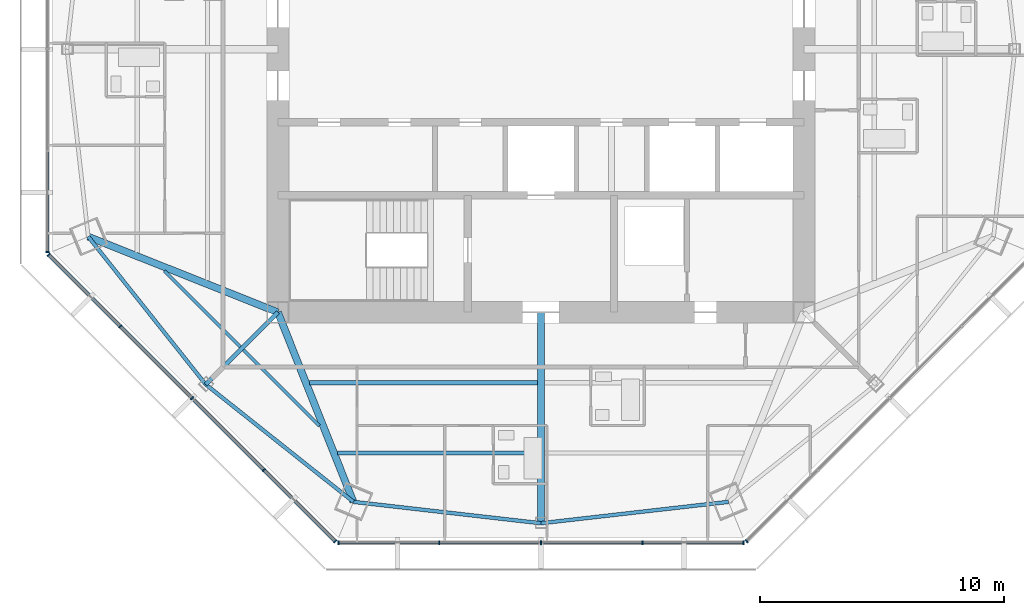
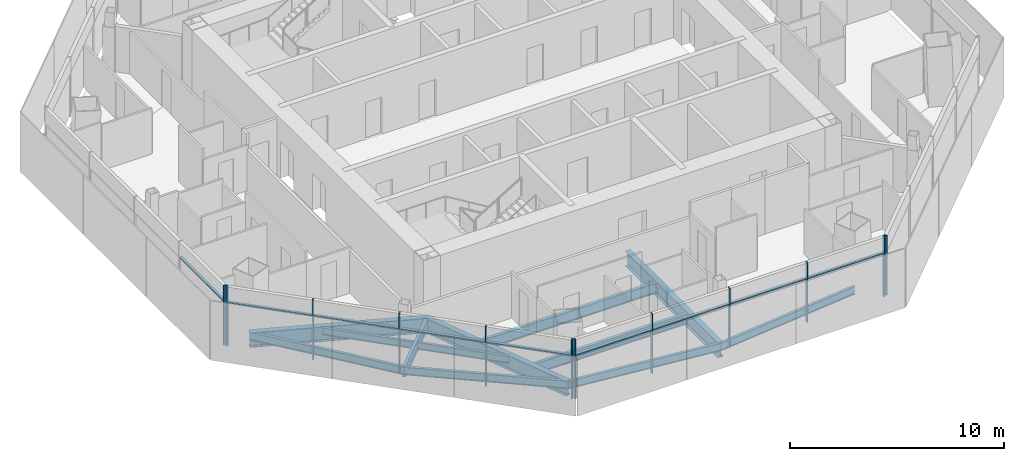
# One storey, part 2 of 15: 21 members, 12 beams, 4 elements without a shape of their own.
"""IFC4 building model written with IfcOpenShell, lengths in metres."""

from ifc_helpers import new_model, si_unit, direction, frame, origin, origin_2d, place, context, subcontext, project, spatial, rectangle, i_section, extrude, source, transform, mapped, material, material_profile, profile_set, type_object, type_shapes, element, aggregate, save


model = new_model("IFC4")

# Units and contexts
model_context = context("Model", 3, precision=1e-05, world=origin(), true_north=direction((0.0, 1.0)))
body_context = subcontext(model_context, "Body", "Model", "MODEL_VIEW")
ifc_project = project(units=[si_unit("LENGTHUNIT", "METRE"), si_unit("AREAUNIT", "SQUARE_METRE"), si_unit("VOLUMEUNIT", "CUBIC_METRE"), si_unit("PLANEANGLEUNIT", "RADIAN"), si_unit("MASSUNIT", "GRAM", prefix="KILO")], contexts=[model_context])

# Site, building, storey
site_placement = place(None, origin())
site = spatial("IfcSite", under=ifc_project, at=site_placement, CompositionType="ELEMENT")
building_placement = place(site_placement, origin())
building = spatial("IfcBuilding", under=site, at=building_placement, Name="Mashrafa Tower", CompositionType="ELEMENT")
storey_placement = place(building_placement, frame((0.0, 0.0, 274.199951171875)))
storey = spatial("IfcBuildingStorey", under=building, at=storey_placement, Name="L66", CompositionType="ELEMENT", Elevation=274.199951171875)

# Beams
ifc_material_1 = material(Name="Steel ASTM A992", Category="steel")
ifc_material_profile_1 = material_profile(ifc_material_1, i_section(OverallWidth=0.140380859375, OverallDepth=0.40380859375, WebThickness=0.007080078125, FlangeThickness=0.01123046875, FilletRadius=0.01025390625, at=origin_2d()), Name="W16X31")
ifc_profile_set_1 = profile_set([ifc_material_profile_1], Name="Steel ASTM A992")
beam_type_1 = type_object("IfcBeamType", Name="Beam W16X31", PredefinedType="BEAM", material=ifc_profile_set_1)
for number, where, z_axis, x_axis, name in (
    (1, (-12.344482421875, -12.218505859375, -0.40185546875), (-0.707079108482, 0.707134452808, 0.0), (-0.707134452808, -0.707079108482, 0.0), "Floor beam L66 006"),
    (2, (-9.09912109375, -15.463623046875, -0.40185546875), (-0.707134452808, 0.707079108482, 0.0), (-0.707079108482, -0.707134452808, 0.0), "Floor beam L66 009"),
):
    element("IfcBeam", number, at=place(storey_placement, frame(where, z_axis=z_axis, x_axis=x_axis)), inside=storey, type_object=beam_type_1, Name=name, PredefinedType="BEAM", context=body_context, shape_type="SweptSolid", body=[
        extrude(i_section(OverallWidth=0.140380859375, OverallDepth=0.40380859375, WebThickness=0.007080078125, FlangeThickness=0.01123046875, FilletRadius=0.01025390625, at=origin_2d()), origin(), (0.0, 0.0, 1.0), 4.411376953125),
    ])
ifc_material_2 = material(Name="Steel ASTM A992", Category="steel")
ifc_material_profile_2 = material_profile(ifc_material_2, i_section(OverallWidth=0.15234375, OverallDepth=0.449462890625, WebThickness=0.007568359375, FlangeThickness=0.0107421875, FilletRadius=0.01025390625, at=origin_2d()), Name="W18X35")
ifc_profile_set_2 = profile_set([ifc_material_profile_2], Name="Steel ASTM A992")
beam_type_2 = type_object("IfcBeamType", Name="Beam W18X35", PredefinedType="BEAM", material=ifc_profile_set_2)
for number, where, z_axis, x_axis, name in (
    (3, (-18.58544921875, -7.6982421875, -0.4248046875), (0.622390664241, -0.782706752919, 0.0), (0.782706752919, 0.622390664241, 0.0), "Spandrel beam L66 042"),
    (4, (-13.762939453125, -13.762939453125, -0.4248046875), (0.782706752919, -0.622390664241, 0.0), (0.622390664241, 0.782706752919, 0.0), "Spandrel beam L66 044"),
    (5, (-7.6982421875, -18.58544921875, -0.4248046875), (0.993556314914, -0.113339530152, 0.0), (0.113339530152, 0.993556314914, 0.0), "Spandrel beam L66 046"),
    (6, (0.0, -19.463623046875, -0.4248046875), (0.993556314914, 0.113339530152, 0.0), (-0.113339530152, 0.993556314914, 0.0), "Spandrel beam L66 048"),
):
    element("IfcBeam", number, at=place(storey_placement, frame(where, z_axis=z_axis, x_axis=x_axis)), inside=storey, type_object=beam_type_2, Name=name, PredefinedType="BEAM", context=body_context, shape_type="SweptSolid", body=[
        extrude(i_section(OverallWidth=0.15234375, OverallDepth=0.449462890625, WebThickness=0.007568359375, FlangeThickness=0.0107421875, FilletRadius=0.01025390625, at=origin_2d()), origin(), (0.0, 0.0, 1.0), 7.748291015625),
    ])
ifc_material_3 = material(Name="Steel ASTM A992", Category="steel")
ifc_material_profile_3 = material_profile(ifc_material_3, i_section(OverallWidth=0.177978515625, OverallDepth=0.599365234375, WebThickness=0.010009765625, FlangeThickness=0.012939453125, FilletRadius=0.012939453125, at=origin_2d()), Name="W24X55")
ifc_profile_set_3 = profile_set([ifc_material_profile_3], Name="Steel ASTM A992")
beam_type_3 = type_object("IfcBeamType", Name="Beam W24X55", PredefinedType="BEAM", material=ifc_profile_set_3)
beam_1_placement = place(storey_placement, frame((-0.14599609375, -16.57568359375, -0.499755859375), z_axis=(-1.0, 0.0, 0.0), x_axis=(0.0, -1.0, 0.0)))
element("IfcBeam", 7, at=beam_1_placement, inside=storey, type_object=beam_type_3, Name="Floor beam L66 011", PredefinedType="BEAM", context=body_context, shape_type="SweptSolid", body=[
    extrude(i_section(OverallWidth=0.177978515625, OverallDepth=0.599365234375, WebThickness=0.010009765625, FlangeThickness=0.012939453125, FilletRadius=0.012939453125, at=origin_2d()), origin(), (0.0, 0.0, 1.0), 8.19580078125),
])
beam_2_placement = place(storey_placement, frame((-0.14599609375, -13.68798828125, -0.499755859375), z_axis=(-1.0, 0.0, 0.0), x_axis=(0.0, -1.0, 0.0)))
element("IfcBeam", 8, at=beam_2_placement, inside=storey, type_object=beam_type_3, Name="Floor beam L66 012", PredefinedType="BEAM", context=body_context, shape_type="SweptSolid", body=[
    extrude(i_section(OverallWidth=0.177978515625, OverallDepth=0.599365234375, WebThickness=0.010009765625, FlangeThickness=0.012939453125, FilletRadius=0.012939453125, at=origin_2d()), origin(), (0.0, 0.0, 1.0), 9.34619140625),
])
beam_3_placement = place(storey_placement, frame((-10.800048828125, -10.800048828125, -0.499755859375), z_axis=(-0.707106781187, -0.707106781187, 0.0), x_axis=(0.707106781187, -0.707106781187, 0.0)))
element("IfcBeam", 9, at=beam_3_placement, inside=storey, type_object=beam_type_3, Name="Radial girder L66 026", PredefinedType="BEAM", context=body_context, shape_type="SweptSolid", body=[
    extrude(i_section(OverallWidth=0.177978515625, OverallDepth=0.599365234375, WebThickness=0.010009765625, FlangeThickness=0.012939453125, FilletRadius=0.012939453125, at=origin_2d()), origin(), (0.0, 0.0, 1.0), 4.190185546875),
])
ifc_material_4 = material(Name="Steel ASTM A992", Category="steel")
ifc_material_profile_4 = material_profile(ifc_material_4, i_section(OverallWidth=0.2919921875, OverallDepth=0.8408203125, WebThickness=0.0146484375, FlangeThickness=0.021728515625, FilletRadius=0.017333984375, at=origin_2d()), Name="W33X130")
ifc_profile_set_4 = profile_set([ifc_material_profile_4], Name="Steel ASTM A992")
beam_type_4 = type_object("IfcBeamType", Name="Beam W33X130", PredefinedType="BEAM", material=ifc_profile_set_4)
for number, where, z_axis, x_axis, name in (
    (10, (-10.800048828125, -10.800048828125, -0.620361328125), (-0.928984121052, 0.370119579101, 0.0), (-0.370119579101, -0.928984121052, 0.0), "Radial girder L66 025"),
    (11, (-10.800048828125, -10.800048828125, -0.620361328125), (0.370119579101, -0.928984121052, 0.0), (0.928984121052, 0.370119579101, 0.0), "Radial girder L66 027"),
):
    element("IfcBeam", number, at=place(storey_placement, frame(where, z_axis=z_axis, x_axis=x_axis)), inside=storey, type_object=beam_type_4, Name=name, PredefinedType="BEAM", context=body_context, shape_type="SweptSolid", body=[
        extrude(i_section(OverallWidth=0.2919921875, OverallDepth=0.8408203125, WebThickness=0.0146484375, FlangeThickness=0.021728515625, FilletRadius=0.017333984375, at=origin_2d()), origin(), (0.0, 0.0, 1.0), 8.380615234375),
    ])
ifc_material_5 = material(Name="Steel ASTM A992", Category="steel")
ifc_material_profile_5 = material_profile(ifc_material_5, i_section(OverallWidth=0.2919921875, OverallDepth=0.845703125, WebThickness=0.015380859375, FlangeThickness=0.0244140625, FilletRadius=0.017333984375, at=origin_2d()), Name="W33X141")
ifc_profile_set_5 = profile_set([ifc_material_profile_5], Name="Steel ASTM A992")
beam_type_5 = type_object("IfcBeamType", Name="Beam W33X141", PredefinedType="BEAM", material=ifc_profile_set_5)
beam_4_placement = place(storey_placement, frame((0.0, -10.800048828125, -0.622802734375), z_axis=(0.0, -1.0, 0.0), x_axis=(1.0, 0.0, 0.0)))
element("IfcBeam", 12, at=beam_4_placement, inside=storey, type_object=beam_type_5, Name="Radial girder L66 032", PredefinedType="BEAM", context=body_context, shape_type="SweptSolid", body=[
    extrude(i_section(OverallWidth=0.2919921875, OverallDepth=0.845703125, WebThickness=0.015380859375, FlangeThickness=0.0244140625, FilletRadius=0.017333984375, at=origin_2d()), origin(), (0.0, 0.0, 1.0), 8.66357421875),
])

# Curtain wall, member
ifc_material_6 = material(Name="Unitised aluminium curtain wall", Category="aluminium")
curtain_wall_type = type_object("IfcCurtainWallType", Name="Apartment curtain wall, zone 4 CW-D 160 deep", PredefinedType="NOTDEFINED", material=ifc_material_6)
curtain_wall_1_placement = place(storey_placement, origin())
curtain_wall_1 = element("IfcCurtainWall", 13, at=curtain_wall_1_placement, inside=storey, type_object=curtain_wall_type, Name="Apartment curtain wall, zone 4 L66 west", PredefinedType="NOTDEFINED")
ifc_material_7 = material(Name="Extruded aluminium mullion", Category="aluminium")
ifc_material_profile_6 = material_profile(ifc_material_7, rectangle(XDim=0.159912109375, YDim=0.06005859375, at=origin_2d()), Name="Mullion 60x160")
ifc_profile_set_6 = profile_set([ifc_material_profile_6], Name="Extruded aluminium mullion")
member_type_1 = type_object("IfcMemberType", Name="Mullion CW-D 60 x 160", PredefinedType="MULLION", material=ifc_profile_set_6)
shared_shape_1 = source(origin(), body_context, "Body", "SweptSolid", [
    extrude(rectangle(XDim=0.159912109375, YDim=0.06005859375, at=origin_2d()), origin(), (0.0, 0.0, 1.0), 3.400146484375),
])
type_shapes(member_type_1, [shared_shape_1])
member_1_placement = place(storey_placement, frame((-20.258056640625, -8.318115234375, 0.0), z_axis=(0.0, 0.0, 1.0), x_axis=(1.0, 0.0, 0.0)))
member_1 = element("IfcMember", 14, at=member_1_placement, type_object=member_type_1, Name="CW-D mullion 5", PredefinedType="MULLION", context=body_context, shape_type="MappedRepresentation", body=[
    mapped(shared_shape_1, transform((0.0, 0.0, 0.0))),
])

# Curtain wall, members
curtain_wall_2_placement = place(storey_placement, origin())
curtain_wall_2 = element("IfcCurtainWall", 15, at=curtain_wall_2_placement, inside=storey, type_object=curtain_wall_type, Name="Apartment curtain wall, zone 4 L66 south-west", PredefinedType="NOTDEFINED")
member_2_placement = place(storey_placement, frame((-20.206298828125, -8.44287109375, 0.0), z_axis=(0.0, 0.0, 1.0), x_axis=(0.707106781187, 0.707106781187, 0.0)))
member_2 = element("IfcMember", 16, at=member_2_placement, type_object=member_type_1, Name="CW-D mullion 1", PredefinedType="MULLION", context=body_context, shape_type="MappedRepresentation", body=[
    mapped(shared_shape_1, transform((0.0, 0.0, 0.0))),
])
member_3_placement = place(storey_placement, frame((-17.276123046875, -11.373046875, 0.0), z_axis=(0.0, 0.0, 1.0), x_axis=(0.707106781187, 0.707106781187, 0.0)))
member_3 = element("IfcMember", 17, at=member_3_placement, type_object=member_type_1, Name="CW-D mullion 2", PredefinedType="MULLION", context=body_context, shape_type="MappedRepresentation", body=[
    mapped(shared_shape_1, transform((0.0, 0.0, 0.0))),
])
member_4_placement = place(storey_placement, frame((-14.324462890625, -14.324462890625, 0.0), z_axis=(0.0, 0.0, 1.0), x_axis=(0.707106781187, 0.707106781187, 0.0)))
member_4 = element("IfcMember", 18, at=member_4_placement, type_object=member_type_1, Name="CW-D mullion 3", PredefinedType="MULLION", context=body_context, shape_type="MappedRepresentation", body=[
    mapped(shared_shape_1, transform((0.0, 0.0, 0.0))),
])
member_5_placement = place(storey_placement, frame((-11.373046875, -17.276123046875, 0.0), z_axis=(0.0, 0.0, 1.0), x_axis=(0.707106781187, 0.707106781187, 0.0)))
member_5 = element("IfcMember", 19, at=member_5_placement, type_object=member_type_1, Name="CW-D mullion 4", PredefinedType="MULLION", context=body_context, shape_type="MappedRepresentation", body=[
    mapped(shared_shape_1, transform((0.0, 0.0, 0.0))),
])
member_6_placement = place(storey_placement, frame((-8.44287109375, -20.206298828125, 0.0), z_axis=(0.0, 0.0, 1.0), x_axis=(0.707106781187, 0.707106781187, 0.0)))
member_6 = element("IfcMember", 20, at=member_6_placement, type_object=member_type_1, Name="CW-D mullion 5", PredefinedType="MULLION", context=body_context, shape_type="MappedRepresentation", body=[
    mapped(shared_shape_1, transform((0.0, 0.0, 0.0))),
])

curtain_wall_3_placement = place(storey_placement, origin())
curtain_wall_3 = element("IfcCurtainWall", 21, at=curtain_wall_3_placement, inside=storey, type_object=curtain_wall_type, Name="Apartment curtain wall, zone 4 L66 south", PredefinedType="NOTDEFINED")
member_7_placement = place(storey_placement, frame((-8.318115234375, -20.258056640625, 0.0), z_axis=(0.0, 0.0, 1.0), x_axis=(0.0, 1.0, 0.0)))
member_7 = element("IfcMember", 22, at=member_7_placement, type_object=member_type_1, Name="CW-D mullion 1", PredefinedType="MULLION", context=body_context, shape_type="MappedRepresentation", body=[
    mapped(shared_shape_1, transform((0.0, 0.0, 0.0))),
])
member_8_placement = place(storey_placement, frame((-4.174072265625, -20.258056640625, 0.0), z_axis=(0.0, 0.0, 1.0), x_axis=(0.0, 1.0, 0.0)))
member_8 = element("IfcMember", 23, at=member_8_placement, type_object=member_type_1, Name="CW-D mullion 2", PredefinedType="MULLION", context=body_context, shape_type="MappedRepresentation", body=[
    mapped(shared_shape_1, transform((0.0, 0.0, 0.0))),
])
member_9_placement = place(storey_placement, frame((0.0, -20.258056640625, 0.0), z_axis=(0.0, 0.0, 1.0), x_axis=(0.0, 1.0, 0.0)))
member_9 = element("IfcMember", 24, at=member_9_placement, type_object=member_type_1, Name="CW-D mullion 3", PredefinedType="MULLION", context=body_context, shape_type="MappedRepresentation", body=[
    mapped(shared_shape_1, transform((0.0, 0.0, 0.0))),
])
member_10_placement = place(storey_placement, frame((4.174072265625, -20.258056640625, 0.0), z_axis=(0.0, 0.0, 1.0), x_axis=(0.0, 1.0, 0.0)))
member_10 = element("IfcMember", 25, at=member_10_placement, type_object=member_type_1, Name="CW-D mullion 4", PredefinedType="MULLION", context=body_context, shape_type="MappedRepresentation", body=[
    mapped(shared_shape_1, transform((0.0, 0.0, 0.0))),
])
member_11_placement = place(storey_placement, frame((8.318115234375, -20.258056640625, 0.0), z_axis=(0.0, 0.0, 1.0), x_axis=(0.0, 1.0, 0.0)))
member_11 = element("IfcMember", 26, at=member_11_placement, type_object=member_type_1, Name="CW-D mullion 5", PredefinedType="MULLION", context=body_context, shape_type="MappedRepresentation", body=[
    mapped(shared_shape_1, transform((0.0, 0.0, 0.0))),
])

# Curtain wall, member
curtain_wall_4_placement = place(storey_placement, origin())
curtain_wall_4 = element("IfcCurtainWall", 27, at=curtain_wall_4_placement, inside=storey, type_object=curtain_wall_type, Name="Apartment curtain wall, zone 4 L66 south-east", PredefinedType="NOTDEFINED")
member_12_placement = place(storey_placement, frame((8.44287109375, -20.206298828125, 0.0), z_axis=(0.0, 0.0, 1.0), x_axis=(-0.707106781187, 0.707106781187, 0.0)))
member_12 = element("IfcMember", 28, at=member_12_placement, type_object=member_type_1, Name="CW-D mullion 1", PredefinedType="MULLION", context=body_context, shape_type="MappedRepresentation", body=[
    mapped(shared_shape_1, transform((0.0, 0.0, 0.0))),
])
aggregate(curtain_wall_4, [member_12])

# Member
ifc_material_8 = material(Name="Extruded aluminium transom", Category="aluminium")
ifc_material_profile_7 = material_profile(ifc_material_8, rectangle(XDim=0.1279296875, YDim=0.074951171875, at=origin_2d()), Name="Transom 75x128")
ifc_profile_set_7 = profile_set([ifc_material_profile_7], Name="Extruded aluminium transom")
member_type_2 = type_object("IfcMemberType", Name="Transom CW-D 75 x 128", PredefinedType="MULLION", material=ifc_profile_set_7)
shared_shape_2 = source(origin(), body_context, "Body", "SweptSolid", [
    extrude(rectangle(XDim=0.1279296875, YDim=0.074951171875, at=origin_2d()), origin(), (0.0, 0.0, 1.0), 4.083984375),
])
member_13_placement = place(storey_placement, frame((-20.258056640625, -4.2041015625, 2.5), z_axis=(0.0, -1.0, 0.0), x_axis=(1.0, 0.0, 0.0)))
member_13 = element("IfcMember", 29, at=member_13_placement, type_object=member_type_2, Name="CW-D transom 4", PredefinedType="MULLION", context=body_context, shape_type="MappedRepresentation", body=[
    mapped(shared_shape_2, transform((0.0, 0.0, 0.0))),
])

aggregate(curtain_wall_1, [member_1, member_13])

member_14_placement = place(storey_placement, frame((-20.18505859375, -8.464111328125, 2.5), z_axis=(0.707136670515, -0.707076890595, 0.0), x_axis=(0.707076890595, 0.707136670515, 0.0)))
member_14 = element("IfcMember", 30, at=member_14_placement, type_object=member_type_2, Name="CW-D transom 1", PredefinedType="MULLION", context=body_context, shape_type="MappedRepresentation", body=[
    mapped(shared_shape_2, transform((0.0, 0.0, 0.0))),
])

member_15_placement = place(storey_placement, frame((-11.351806640625, -17.297119140625, 2.5), z_axis=(0.707076890595, -0.707136670515, 0.0), x_axis=(0.707136670515, 0.707076890595, 0.0)))
member_15 = element("IfcMember", 31, at=member_15_placement, type_object=member_type_2, Name="CW-D transom 4", PredefinedType="MULLION", context=body_context, shape_type="MappedRepresentation", body=[
    mapped(shared_shape_2, transform((0.0, 0.0, 0.0))),
])

member_16_placement = place(storey_placement, frame((-8.2880859375, -20.258056640625, 2.5), z_axis=(1.0, 0.0, 0.0), x_axis=(0.0, 1.0, 0.0)))
member_16 = element("IfcMember", 32, at=member_16_placement, type_object=member_type_2, Name="CW-D transom 1", PredefinedType="MULLION", context=body_context, shape_type="MappedRepresentation", body=[
    mapped(shared_shape_2, transform((0.0, 0.0, 0.0))),
])

member_17_placement = place(storey_placement, frame((4.2041015625, -20.258056640625, 2.5), z_axis=(1.0, 0.0, 0.0), x_axis=(0.0, 1.0, 0.0)))
member_17 = element("IfcMember", 33, at=member_17_placement, type_object=member_type_2, Name="CW-D transom 4", PredefinedType="MULLION", context=body_context, shape_type="MappedRepresentation", body=[
    mapped(shared_shape_2, transform((0.0, 0.0, 0.0))),
])

shared_shape_3 = source(origin(), body_context, "Body", "SweptSolid", [
    extrude(rectangle(XDim=0.1279296875, YDim=0.074951171875, at=origin_2d()), origin(), (0.0, 0.0, 1.0), 4.114013671875),
])
member_18_placement = place(storey_placement, frame((-4.14404296875, -20.258056640625, 2.5), z_axis=(1.0, 0.0, 0.0), x_axis=(0.0, 1.0, 0.0)))
member_18 = element("IfcMember", 34, at=member_18_placement, type_object=member_type_2, Name="CW-D transom 2", PredefinedType="MULLION", context=body_context, shape_type="MappedRepresentation", body=[
    mapped(shared_shape_3, transform((0.0, 0.0, 0.0))),
])

member_19_placement = place(storey_placement, frame((0.030029296875, -20.258056640625, 2.5), z_axis=(1.0, 0.0, 0.0), x_axis=(0.0, 1.0, 0.0)))
member_19 = element("IfcMember", 35, at=member_19_placement, type_object=member_type_2, Name="CW-D transom 3", PredefinedType="MULLION", context=body_context, shape_type="MappedRepresentation", body=[
    mapped(shared_shape_3, transform((0.0, 0.0, 0.0))),
])

aggregate(curtain_wall_3, [member_7, member_8, member_9, member_10, member_11, member_16, member_18, member_19, member_17])

shared_shape_4 = source(origin(), body_context, "Body", "SweptSolid", [
    extrude(rectangle(XDim=0.1279296875, YDim=0.074951171875, at=origin_2d()), origin(), (0.0, 0.0, 1.0), 4.1142578125),
])
type_shapes(member_type_2, [shared_shape_2, shared_shape_3, shared_shape_4])
member_20_placement = place(storey_placement, frame((-17.2548828125, -11.394287109375, 2.5), z_axis=(0.707106781187, -0.707106781187, 0.0), x_axis=(0.707106781187, 0.707106781187, 0.0)))
member_20 = element("IfcMember", 36, at=member_20_placement, type_object=member_type_2, Name="CW-D transom 2", PredefinedType="MULLION", context=body_context, shape_type="MappedRepresentation", body=[
    mapped(shared_shape_4, transform((0.0, 0.0, 0.0))),
])

member_21_placement = place(storey_placement, frame((-14.303466796875, -14.345703125, 2.5), z_axis=(0.707106781187, -0.707106781187, 0.0), x_axis=(0.707106781187, 0.707106781187, 0.0)))
member_21 = element("IfcMember", 37, at=member_21_placement, type_object=member_type_2, Name="CW-D transom 3", PredefinedType="MULLION", context=body_context, shape_type="MappedRepresentation", body=[
    mapped(shared_shape_4, transform((0.0, 0.0, 0.0))),
])

aggregate(curtain_wall_2, [member_2, member_3, member_4, member_5, member_6, member_14, member_20, member_21, member_15])

save(model, "model.ifc")
